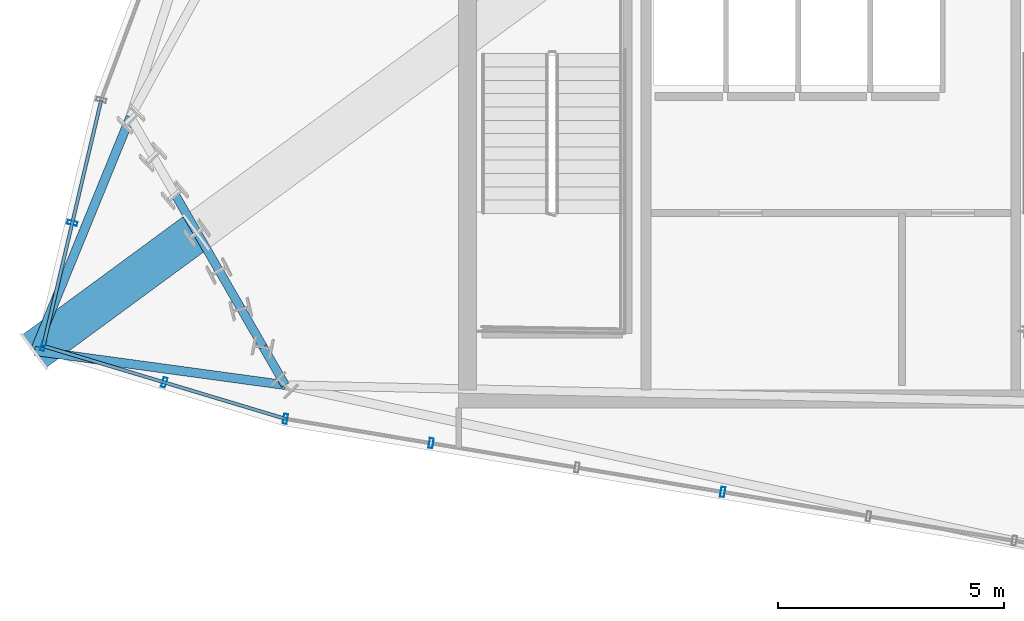
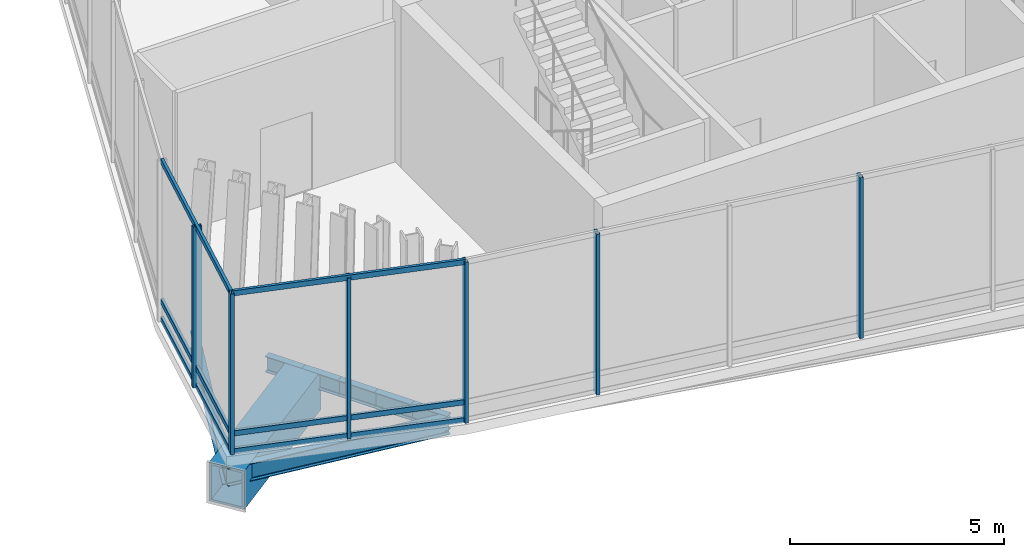
# One storey, part 2 of 28: 12 members, 8 beams, 3 elements without a shape of their own.
"""IFC4 building model written with IfcOpenShell, lengths in metres."""

from ifc_helpers import new_model, si_unit, direction, frame, origin, origin_2d, place, context, subcontext, project, spatial, hollow_rectangle, i_section, extrude, material, layer, layer_set, material_profile, profile_set, type_object, element, aggregate, save


model = new_model("IFC4")

# Units and contexts
model_context = context("Model", 3, precision=1e-05, world=origin(), true_north=direction((0.0, 1.0)))
body_context = subcontext(model_context, "Body", "Model", "MODEL_VIEW")
ifc_project = project(units=[si_unit("LENGTHUNIT", "METRE"), si_unit("AREAUNIT", "SQUARE_METRE"), si_unit("VOLUMEUNIT", "CUBIC_METRE"), si_unit("PLANEANGLEUNIT", "RADIAN"), si_unit("MASSUNIT", "GRAM", prefix="KILO")], contexts=[model_context])

# Site, building, storey
site_placement = place(None, origin())
site = spatial("IfcSite", under=ifc_project, at=site_placement, CompositionType="ELEMENT")
building_placement = place(site_placement, origin())
building = spatial("IfcBuilding", under=site, at=building_placement, Name="Ndaravel Arena Tower", CompositionType="ELEMENT")
storey_placement = place(building_placement, frame((0.0, 0.0, 213.199951171875)))
storey = spatial("IfcBuildingStorey", under=building, at=storey_placement, Name="L51", CompositionType="ELEMENT", Elevation=213.199951171875)

# Beams
ifc_material_1 = material(Name="Steel S355", Category="steel")
ifc_material_profile_1 = material_profile(ifc_material_1, i_section(OverallWidth=0.18994140625, OverallDepth=0.449951171875, WebThickness=0.009521484375, FlangeThickness=0.0146484375, FilletRadius=0.02099609375, at=origin_2d()), Name="IPE 450")
ifc_profile_set_1 = profile_set([ifc_material_profile_1], Name="Steel S355")
beam_type_1 = type_object("IfcBeamType", Name="BM-SPAN-IPE450", PredefinedType="SPANDREL", material=ifc_profile_set_1)
beam_1_placement = place(storey_placement, frame((20.15185546875, 10.14990234375, -0.5048828125), z_axis=(0.499995473844, -0.866028016946, 0.0), x_axis=(0.866028016946, 0.499995473844, 0.0)))
element("IfcBeam", 1, at=beam_1_placement, inside=storey, type_object=beam_type_1, Name="L51 Perimeter Spandrel Beam SP-22", PredefinedType="SPANDREL", context=body_context, shape_type="SweptSolid", body=[
    extrude(i_section(OverallWidth=0.18994140625, OverallDepth=0.449951171875, WebThickness=0.009521484375, FlangeThickness=0.0146484375, FilletRadius=0.02099609375, at=origin_2d()), origin(), (0.0, 0.0, 1.0), 0.98046875),
])
beam_2_placement = place(storey_placement, frame((20.64208984375, 9.30078125, -0.5048828125), z_axis=(0.500103313483, -0.8659657475, 0.0), x_axis=(0.8659657475, 0.500103313483, 0.0)))
element("IfcBeam", 2, at=beam_2_placement, inside=storey, type_object=beam_type_1, Name="L51 Perimeter Spandrel Beam SP-23", PredefinedType="SPANDREL", context=body_context, shape_type="SweptSolid", body=[
    extrude(i_section(OverallWidth=0.18994140625, OverallDepth=0.449951171875, WebThickness=0.009521484375, FlangeThickness=0.0146484375, FilletRadius=0.02099609375, at=origin_2d()), origin(), (0.0, 0.0, 1.0), 0.980224609375),
])
for number, where, z_axis, x_axis, name in (
    (3, (21.13232421875, 8.451904296875, -0.5048828125), (0.499995473844, -0.866028016946, 0.0), (0.866028016946, 0.499995473844, 0.0), "L51 Perimeter Spandrel Beam SP-24"),
    (4, (21.62255859375, 7.602783203125, -0.5048828125), (0.499995473844, -0.866028016946, 0.0), (0.866028016946, 0.499995473844, 0.0), "L51 Perimeter Spandrel Beam SP-25"),
    (5, (22.11279296875, 6.753662109375, -0.5048828125), (0.499808686542, -0.866135830489, 0.0), (0.866135830489, 0.499808686542, 0.0), "L51 Perimeter Spandrel Beam SP-26"),
):
    element("IfcBeam", number, at=place(storey_placement, frame(where, z_axis=z_axis, x_axis=x_axis)), inside=storey, type_object=beam_type_1, Name=name, PredefinedType="SPANDREL", context=body_context, shape_type="SweptSolid", body=[
        extrude(i_section(OverallWidth=0.18994140625, OverallDepth=0.449951171875, WebThickness=0.009521484375, FlangeThickness=0.0146484375, FilletRadius=0.02099609375, at=origin_2d()), origin(), (0.0, 0.0, 1.0), 0.98046875),
    ])
ifc_material_2 = material(Name="Steel S355", Category="steel")
ifc_material_profile_2 = material_profile(ifc_material_2, i_section(OverallWidth=0.199951171875, OverallDepth=0.5, WebThickness=0.01025390625, FlangeThickness=0.01611328125, FilletRadius=0.02099609375, at=origin_2d()), Name="IPE 500")
ifc_profile_set_2 = profile_set([ifc_material_profile_2], Name="Steel S355")
beam_type_2 = type_object("IfcBeamType", Name="BM-SPAN-IPE500", PredefinedType="SPANDREL", material=ifc_profile_set_2)
beam_3_placement = place(storey_placement, frame((19.17138671875, 11.84814453125, -0.530029296875), z_axis=(-0.378441133594, -0.925625360718, 0.0), x_axis=(0.925625360718, -0.378441133594, 0.0)))
element("IfcBeam", 6, at=beam_3_placement, inside=storey, type_object=beam_type_2, Name="L51 Star Facet Edge Beam SEA-1", PredefinedType="SPANDREL", context=body_context, shape_type="SweptSolid", body=[
    extrude(i_section(OverallWidth=0.199951171875, OverallDepth=0.5, WebThickness=0.01025390625, FlangeThickness=0.01611328125, FilletRadius=0.02099609375, at=origin_2d()), origin(), (0.0, 0.0, 1.0), 5.603515625),
])
beam_4_placement = place(storey_placement, frame((17.05078125, 6.661376953125, -0.530029296875), z_axis=(0.990836265135, -0.135068485199, 0.0), x_axis=(0.135068485199, 0.990836265135, 0.0)))
element("IfcBeam", 7, at=beam_4_placement, inside=storey, type_object=beam_type_2, Name="L51 Star Facet Edge Beam SEB-1", PredefinedType="SPANDREL", context=body_context, shape_type="SweptSolid", body=[
    extrude(i_section(OverallWidth=0.199951171875, OverallDepth=0.5, WebThickness=0.01025390625, FlangeThickness=0.01611328125, FilletRadius=0.02099609375, at=origin_2d()), origin(), (0.0, 0.0, 1.0), 5.603271484375),
])
ifc_material_3 = material(Name="Steel S460", Category="steel")
ifc_material_profile_3 = material_profile(ifc_material_3, hollow_rectangle(XDim=0.89990234375, YDim=1.10009765625, WallThickness=0.06494140625, at=origin_2d()), Name="BOX 1100x900x65")
ifc_profile_set_3 = profile_set([ifc_material_profile_3], Name="Steel S460")
beam_type_3 = type_object("IfcBeamType", Name="BM-STAR-BOX1100", PredefinedType="BEAM", material=ifc_profile_set_3)
beam_5_placement = place(storey_placement, frame((20.64208984375, 9.30078125, -0.829833984375), z_axis=(-0.805786322217, -0.592206385417, 0.0), x_axis=(0.592206385417, -0.805786322217, 0.0)))
element("IfcBeam", 8, at=beam_5_placement, inside=storey, type_object=beam_type_3, Name="L51 Star Cantilever Tip Girder SCG-1", PredefinedType="BEAM", context=body_context, shape_type="SweptSolid", body=[
    extrude(hollow_rectangle(XDim=0.89990234375, YDim=1.10009765625, WallThickness=0.06494140625, at=origin_2d()), origin(), (0.0, 0.0, 1.0), 4.456787109375),
])

# Curtain wall, members
ifc_material_4 = material(Name="Aluminium", Category="aluminium")
ifc_layer = layer(ifc_material_4, 0.179931640625)
ifc_layer_set = layer_set([ifc_layer], Name="Aluminium")
curtain_wall_type = type_object("IfcCurtainWallType", Name="CW-SYS-04", PredefinedType="NOTDEFINED", material=ifc_layer_set)
curtain_wall_1_placement = place(storey_placement, origin())
curtain_wall_1 = element("IfcCurtainWall", 9, at=curtain_wall_1_placement, inside=storey, type_object=curtain_wall_type, Name="L51 Faceted Crystal Curtain Wall CW-L51-E01", PredefinedType="NOTDEFINED")
ifc_material_5 = material(Name="Aluminium", Category="aluminium")
ifc_material_profile_4 = material_profile(ifc_material_5, hollow_rectangle(XDim=0.090087890625, YDim=0.219970703125, WallThickness=0.0048828125, at=origin_2d()), Name="CW MULLION 90x220x5")
ifc_profile_set_4 = profile_set([ifc_material_profile_4], Name="Aluminium")
member_type_1 = type_object("IfcMemberType", Name="MEM-CW-MUL220", PredefinedType="MULLION", material=ifc_profile_set_4)
member_1_placement = place(storey_placement, frame((17.240966796875, 6.77099609375, 0.0), z_axis=(0.0, 0.0, 1.0), x_axis=(0.957576390633, -0.288179555317, 0.0)))
member_1 = element("IfcMember", 10, at=member_1_placement, type_object=member_type_1, Name="CW-L51-E01 Mullion 00", PredefinedType="MULLION", context=body_context, shape_type="SweptSolid", body=[
    extrude(hollow_rectangle(XDim=0.090087890625, YDim=0.219970703125, WallThickness=0.0048828125, at=origin_2d()), origin(), (0.0, 0.0, 1.0), 4.580078125),
])
member_2_placement = place(storey_placement, frame((19.924072265625, 5.963623046875, 0.0), z_axis=(0.0, 0.0, 1.0), x_axis=(0.957576390633, -0.288179555317, 0.0)))
member_2 = element("IfcMember", 11, at=member_2_placement, type_object=member_type_1, Name="CW-L51-E01 Mullion 01", PredefinedType="MULLION", context=body_context, shape_type="SweptSolid", body=[
    extrude(hollow_rectangle(XDim=0.090087890625, YDim=0.219970703125, WallThickness=0.0048828125, at=origin_2d()), origin(), (0.0, 0.0, 1.0), 4.580078125),
])

curtain_wall_2_placement = place(storey_placement, origin())
curtain_wall_2 = element("IfcCurtainWall", 12, at=curtain_wall_2_placement, inside=storey, type_object=curtain_wall_type, Name="L51 Faceted Crystal Curtain Wall CW-L51-E02", PredefinedType="NOTDEFINED")
member_3_placement = place(storey_placement, frame((22.607421875, 5.156005859375, 0.0), z_axis=(0.0, 0.0, 1.0), x_axis=(0.98629712163, -0.164978749734, 0.0)))
member_3 = element("IfcMember", 13, at=member_3_placement, type_object=member_type_1, Name="CW-L51-E02 Mullion 00", PredefinedType="MULLION", context=body_context, shape_type="SweptSolid", body=[
    extrude(hollow_rectangle(XDim=0.090087890625, YDim=0.219970703125, WallThickness=0.0048828125, at=origin_2d()), origin(), (0.0, 0.0, 1.0), 4.580078125),
])
member_4_placement = place(storey_placement, frame((25.83935546875, 4.615478515625, 0.0), z_axis=(0.0, 0.0, 1.0), x_axis=(0.98629712163, -0.164978749734, 0.0)))
member_4 = element("IfcMember", 14, at=member_4_placement, type_object=member_type_1, Name="CW-L51-E02 Mullion 01", PredefinedType="MULLION", context=body_context, shape_type="SweptSolid", body=[
    extrude(hollow_rectangle(XDim=0.090087890625, YDim=0.219970703125, WallThickness=0.0048828125, at=origin_2d()), origin(), (0.0, 0.0, 1.0), 4.580078125),
])
member_5_placement = place(storey_placement, frame((32.3037109375, 3.5341796875, 0.0), z_axis=(0.0, 0.0, 1.0), x_axis=(0.98629712163, -0.164978749734, 0.0)))
member_5 = element("IfcMember", 15, at=member_5_placement, type_object=member_type_1, Name="CW-L51-E02 Mullion 03", PredefinedType="MULLION", context=body_context, shape_type="SweptSolid", body=[
    extrude(hollow_rectangle(XDim=0.090087890625, YDim=0.219970703125, WallThickness=0.0048828125, at=origin_2d()), origin(), (0.0, 0.0, 1.0), 4.580078125),
])
aggregate(curtain_wall_2, [member_3, member_4, member_5])

# Curtain wall, member
curtain_wall_3_placement = place(storey_placement, origin())
curtain_wall_3 = element("IfcCurtainWall", 16, at=curtain_wall_3_placement, inside=storey, type_object=curtain_wall_type, Name="L51 Faceted Crystal Curtain Wall CW-L51-E12", PredefinedType="NOTDEFINED")
member_6_placement = place(storey_placement, frame((17.88330078125, 9.49853515625, 0.0), z_axis=(0.0, 0.0, 1.0), x_axis=(-0.22921737956, -0.973375258011, 0.0)))
member_6 = element("IfcMember", 17, at=member_6_placement, type_object=member_type_1, Name="CW-L51-E12 Mullion 01", PredefinedType="MULLION", context=body_context, shape_type="SweptSolid", body=[
    extrude(hollow_rectangle(XDim=0.090087890625, YDim=0.219970703125, WallThickness=0.0048828125, at=origin_2d()), origin(), (0.0, 0.0, 1.0), 4.580078125),
])

# Member
ifc_material_6 = material(Name="Aluminium", Category="aluminium")
ifc_material_profile_5 = material_profile(ifc_material_6, hollow_rectangle(XDim=0.074951171875, YDim=0.14990234375, WallThickness=0.00390625, at=origin_2d()), Name="CW TRANSOM 75x150x4")
ifc_profile_set_5 = profile_set([ifc_material_profile_5], Name="Aluminium")
member_type_2 = type_object("IfcMemberType", Name="MEM-CW-TRN150", PredefinedType="USERDEFINED", material=ifc_profile_set_5)
member_7_placement = place(storey_placement, frame((17.240966796875, 6.77099609375, 0.0400390625), z_axis=(0.95757773369, -0.288175092505, 0.0), x_axis=(0.288175092505, 0.95757773369, 0.0)))
member_7 = element("IfcMember", 18, at=member_7_placement, type_object=member_type_2, Name="CW-L51-E01 Transom 01", ObjectType="TRANSOM", PredefinedType="USERDEFINED", context=body_context, shape_type="SweptSolid", body=[
    extrude(hollow_rectangle(XDim=0.074951171875, YDim=0.14990234375, WallThickness=0.00390625, at=origin_2d()), origin(), (0.0, 0.0, 1.0), 5.604248046875),
])

member_8_placement = place(storey_placement, frame((17.240966796875, 6.77099609375, 0.550048828125), z_axis=(0.95757773369, -0.288175092505, 0.0), x_axis=(0.288175092505, 0.95757773369, 0.0)))
member_8 = element("IfcMember", 19, at=member_8_placement, type_object=member_type_2, Name="CW-L51-E01 Transom 02", ObjectType="TRANSOM", PredefinedType="USERDEFINED", context=body_context, shape_type="SweptSolid", body=[
    extrude(hollow_rectangle(XDim=0.074951171875, YDim=0.14990234375, WallThickness=0.00390625, at=origin_2d()), origin(), (0.0, 0.0, 1.0), 5.604248046875),
])

member_9_placement = place(storey_placement, frame((17.240966796875, 6.77099609375, 4.5400390625), z_axis=(0.95757773369, -0.288175092505, 0.0), x_axis=(0.288175092505, 0.95757773369, 0.0)))
member_9 = element("IfcMember", 20, at=member_9_placement, type_object=member_type_2, Name="CW-L51-E01 Transom 03", ObjectType="TRANSOM", PredefinedType="USERDEFINED", context=body_context, shape_type="SweptSolid", body=[
    extrude(hollow_rectangle(XDim=0.074951171875, YDim=0.14990234375, WallThickness=0.00390625, at=origin_2d()), origin(), (0.0, 0.0, 1.0), 5.604248046875),
])

aggregate(curtain_wall_1, [member_1, member_2, member_7, member_8, member_9])

member_10_placement = place(storey_placement, frame((18.525390625, 12.22607421875, 0.0400390625), z_axis=(-0.229187446892, -0.973382306284, 0.0), x_axis=(0.973382306284, -0.229187446892, 0.0)))
member_10 = element("IfcMember", 21, at=member_10_placement, type_object=member_type_2, Name="CW-L51-E12 Transom 01", ObjectType="TRANSOM", PredefinedType="USERDEFINED", context=body_context, shape_type="SweptSolid", body=[
    extrude(hollow_rectangle(XDim=0.074951171875, YDim=0.14990234375, WallThickness=0.00390625, at=origin_2d()), origin(), (0.0, 0.0, 1.0), 5.604248046875),
])

member_11_placement = place(storey_placement, frame((18.525390625, 12.22607421875, 0.550048828125), z_axis=(-0.229187446892, -0.973382306284, 0.0), x_axis=(0.973382306284, -0.229187446892, 0.0)))
member_11 = element("IfcMember", 22, at=member_11_placement, type_object=member_type_2, Name="CW-L51-E12 Transom 02", ObjectType="TRANSOM", PredefinedType="USERDEFINED", context=body_context, shape_type="SweptSolid", body=[
    extrude(hollow_rectangle(XDim=0.074951171875, YDim=0.14990234375, WallThickness=0.00390625, at=origin_2d()), origin(), (0.0, 0.0, 1.0), 5.604248046875),
])

member_12_placement = place(storey_placement, frame((18.525390625, 12.22607421875, 4.5400390625), z_axis=(-0.229187446892, -0.973382306284, 0.0), x_axis=(0.973382306284, -0.229187446892, 0.0)))
member_12 = element("IfcMember", 23, at=member_12_placement, type_object=member_type_2, Name="CW-L51-E12 Transom 03", ObjectType="TRANSOM", PredefinedType="USERDEFINED", context=body_context, shape_type="SweptSolid", body=[
    extrude(hollow_rectangle(XDim=0.074951171875, YDim=0.14990234375, WallThickness=0.00390625, at=origin_2d()), origin(), (0.0, 0.0, 1.0), 5.604248046875),
])

aggregate(curtain_wall_3, [member_6, member_10, member_11, member_12])

save(model, "model.ifc")
